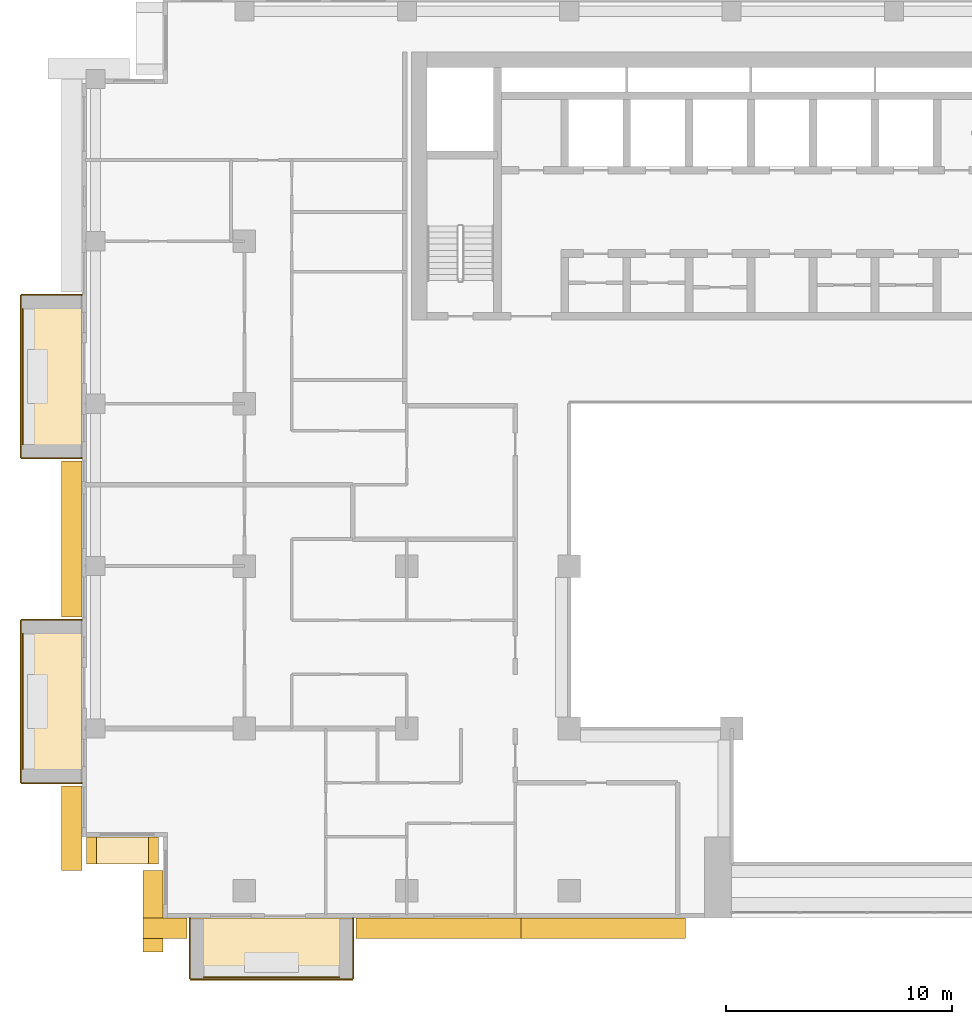
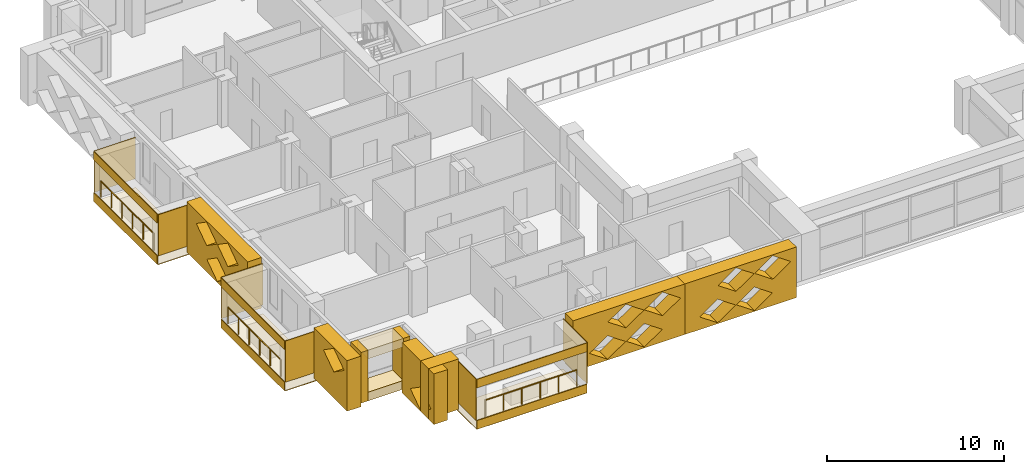
# One storey, part 14 of 20: 25 coverings, 3 railings.
"""IFC4 building model written with IfcOpenShell, lengths in metres."""

from ifc_helpers import new_model, si_unit, direction, frame, origin, origin_2d, place, context, subcontext, project, spatial, polyline, circle, outline, extrude, material, layer, layer_set, type_object, element, save


model = new_model("IFC4")

# Units and contexts
model_context = context("Model", 3, precision=1e-05, world=origin(), true_north=direction((0.0, 1.0)))
body_context = subcontext(model_context, "Body", "Model", "MODEL_VIEW")
ifc_project = project(units=[si_unit("LENGTHUNIT", "METRE"), si_unit("AREAUNIT", "SQUARE_METRE"), si_unit("VOLUMEUNIT", "CUBIC_METRE"), si_unit("PLANEANGLEUNIT", "RADIAN"), si_unit("MASSUNIT", "GRAM", prefix="KILO")], contexts=[model_context])

# Site, building, storey
site_placement = place(None, origin())
site = spatial("IfcSite", under=ifc_project, at=site_placement, CompositionType="ELEMENT")
building_placement = place(site_placement, origin())
building = spatial("IfcBuilding", under=site, at=building_placement, Name="Saffron Iwan Residences", CompositionType="ELEMENT")
storey_placement = place(building_placement, frame((0.0, 0.0, 157.0)))
storey = spatial("IfcBuildingStorey", under=building, at=storey_placement, Name="L41", CompositionType="ELEMENT", Elevation=157.0)

# Railings
ifc_material_1 = material(Name="Stainless steel 316", Category="steel")
railing_type = type_object("IfcRailingType", Name="BALCONY GUARD 1150", PredefinedType="GUARDRAIL", material=ifc_material_1)
for number, where, name in (
    (1, (11.77490234375, 66.60009765625, 0.0), "Balcony guard L41 F8-0"),
    (2, (11.77490234375, 52.199951171875, 0.0), "Balcony guard L41 F8-1"),
):
    element("IfcRailing", number, at=place(storey_placement, frame(where)), inside=storey, type_object=railing_type, Name=name, PredefinedType="GUARDRAIL", context=body_context, shape_type="SweptSolid", body=[
        extrude(circle(Radius=0.02392578125, at=origin_2d()), frame((0.0, 0.0, 1.1259765625), z_axis=(0.0, -1.0, 0.0), x_axis=(1.0, 0.0, 0.0)), (0.0, 0.0, 1.0), 6.0),
        extrude(circle(Radius=0.02099609375, at=origin_2d()), origin(), (0.0, 0.0, 1.0), 1.101806640625),
        extrude(circle(Radius=0.02099609375, at=origin_2d()), frame((0.0, -1.199951171875, 0.0)), (0.0, 0.0, 1.0), 1.101806640625),
        extrude(circle(Radius=0.02099609375, at=origin_2d()), frame((0.0, -2.39990234375, 0.0)), (0.0, 0.0, 1.0), 1.101806640625),
        extrude(circle(Radius=0.02099609375, at=origin_2d()), frame((0.0, -3.60009765625, 0.0)), (0.0, 0.0, 1.0), 1.101806640625),
        extrude(circle(Radius=0.02099609375, at=origin_2d()), frame((0.0, -4.800048828125, 0.0)), (0.0, 0.0, 1.0), 1.101806640625),
        extrude(circle(Radius=0.02099609375, at=origin_2d()), frame((0.0, -6.0, 0.0)), (0.0, 0.0, 1.0), 1.101806640625),
    ])
railing_placement = place(storey_placement, frame((19.800048828125, 36.97509765625, 0.0)))
element("IfcRailing", 3, at=railing_placement, inside=storey, type_object=railing_type, Name="Balcony guard L41 11-0", PredefinedType="GUARDRAIL", context=body_context, shape_type="SweptSolid", body=[
    extrude(circle(Radius=0.02392578125, at=origin_2d()), frame((0.0, 0.0, 1.1259765625), z_axis=(1.0, 0.0, 0.0), x_axis=(0.0, 1.0, 0.0)), (0.0, 0.0, 1.0), 6.0),
    extrude(circle(Radius=0.02099609375, at=origin_2d()), origin(), (0.0, 0.0, 1.0), 1.101806640625),
    extrude(circle(Radius=0.02099609375, at=origin_2d()), frame((1.199951171875, 0.0, 0.0)), (0.0, 0.0, 1.0), 1.101806640625),
    extrude(circle(Radius=0.02099609375, at=origin_2d()), frame((2.39990234375, 0.0, 0.0)), (0.0, 0.0, 1.0), 1.101806640625),
    extrude(circle(Radius=0.02099609375, at=origin_2d()), frame((3.60009765625, 0.0, 0.0)), (0.0, 0.0, 1.0), 1.101806640625),
    extrude(circle(Radius=0.02099609375, at=origin_2d()), frame((4.800048828125, 0.0, 0.0)), (0.0, 0.0, 1.0), 1.101806640625),
    extrude(circle(Radius=0.02099609375, at=origin_2d()), frame((6.0, 0.0, 0.0)), (0.0, 0.0, 1.0), 1.101806640625),
])

# Coverings
ifc_material_2 = material(Name="Precast concrete C40/50 white painted", Category="concrete")
ifc_layer = layer(ifc_material_2, 0.050048828125)
ifc_layer_set = layer_set([ifc_layer], Name="Precast concrete C40/50 white painted")
covering_type_1 = type_object("IfcCoveringType", Name="FRAME SKIN PRECAST WHITE 50", PredefinedType="CLADDING", material=ifc_layer_set)
for number, where, name in (
    (4, (0.0, 0.0, -0.60009765625), "Frame skin slab edge L41 F8-0"),
    (5, (0.0, 0.0, 2.25), "Frame skin fascia L41 F8-0"),
):
    element("IfcCovering", number, at=place(storey_placement, frame(where)), inside=storey, type_object=covering_type_1, Name=name, PredefinedType="CLADDING", context=body_context, shape_type="SweptSolid", body=[
        extrude(outline(polyline([(11.64990234375, 67.199951171875), (11.64990234375, 60.0), (11.699951171875, 60.0), (11.699951171875, 67.199951171875), (11.64990234375, 67.199951171875)])), origin(), (0.0, 0.0, 1.0), 0.60009765625),
    ])
covering_1_placement = place(storey_placement, frame((0.0, 0.0, -0.64990234375)))
element("IfcCovering", 6, at=covering_1_placement, inside=storey, type_object=covering_type_1, Name="Frame skin soffit L41 F8-0", PredefinedType="CLADDING", context=body_context, shape_type="SweptSolid", body=[
    extrude(outline(polyline([(11.699951171875, 67.199951171875), (11.699951171875, 60.0), (14.39990234375, 60.0), (14.39990234375, 67.199951171875), (11.699951171875, 67.199951171875)])), origin(), (0.0, 0.0, 1.0), 0.0498046875),
])
covering_2_placement = place(storey_placement, origin())
element("IfcCovering", 7, at=covering_2_placement, inside=storey, type_object=covering_type_1, Name="Frame skin fin L41 F8-0a", PredefinedType="CLADDING", context=body_context, shape_type="SweptSolid", body=[
    extrude(outline(polyline([(11.699951171875, 67.25), (11.699951171875, 67.199951171875), (14.39990234375, 67.199951171875), (14.39990234375, 67.25), (11.699951171875, 67.25)])), origin(), (0.0, 0.0, 1.0), 2.85009765625),
])
covering_3_placement = place(storey_placement, origin())
element("IfcCovering", 8, at=covering_3_placement, inside=storey, type_object=covering_type_1, Name="Frame skin fin L41 F8-0b", PredefinedType="CLADDING", context=body_context, shape_type="SweptSolid", body=[
    extrude(outline(polyline([(11.699951171875, 60.0), (11.699951171875, 59.949951171875), (14.39990234375, 59.949951171875), (14.39990234375, 60.0), (11.699951171875, 60.0)])), origin(), (0.0, 0.0, 1.0), 2.85009765625),
])
for number, where, name in (
    (9, (0.0, 0.0, -0.60009765625), "Frame skin slab edge L41 F8-1"),
    (10, (0.0, 0.0, 2.25), "Frame skin fascia L41 F8-1"),
):
    element("IfcCovering", number, at=place(storey_placement, frame(where)), inside=storey, type_object=covering_type_1, Name=name, PredefinedType="CLADDING", context=body_context, shape_type="SweptSolid", body=[
        extrude(outline(polyline([(11.64990234375, 52.800048828125), (11.64990234375, 45.60009765625), (11.699951171875, 45.60009765625), (11.699951171875, 52.800048828125), (11.64990234375, 52.800048828125)])), origin(), (0.0, 0.0, 1.0), 0.60009765625),
    ])
covering_4_placement = place(storey_placement, frame((0.0, 0.0, -0.64990234375)))
element("IfcCovering", 11, at=covering_4_placement, inside=storey, type_object=covering_type_1, Name="Frame skin soffit L41 F8-1", PredefinedType="CLADDING", context=body_context, shape_type="SweptSolid", body=[
    extrude(outline(polyline([(11.699951171875, 52.800048828125), (11.699951171875, 45.60009765625), (14.39990234375, 45.60009765625), (14.39990234375, 52.800048828125), (11.699951171875, 52.800048828125)])), origin(), (0.0, 0.0, 1.0), 0.0498046875),
])
covering_5_placement = place(storey_placement, origin())
element("IfcCovering", 12, at=covering_5_placement, inside=storey, type_object=covering_type_1, Name="Frame skin fin L41 F8-1a", PredefinedType="CLADDING", context=body_context, shape_type="SweptSolid", body=[
    extrude(outline(polyline([(11.699951171875, 52.85009765625), (11.699951171875, 52.800048828125), (14.39990234375, 52.800048828125), (14.39990234375, 52.85009765625), (11.699951171875, 52.85009765625)])), origin(), (0.0, 0.0, 1.0), 2.85009765625),
])
covering_6_placement = place(storey_placement, origin())
element("IfcCovering", 13, at=covering_6_placement, inside=storey, type_object=covering_type_1, Name="Frame skin fin L41 F8-1b", PredefinedType="CLADDING", context=body_context, shape_type="SweptSolid", body=[
    extrude(outline(polyline([(11.699951171875, 45.60009765625), (11.699951171875, 45.550048828125), (14.39990234375, 45.550048828125), (14.39990234375, 45.60009765625), (11.699951171875, 45.60009765625)])), origin(), (0.0, 0.0, 1.0), 2.85009765625),
])
for number, where, name in (
    (14, (0.0, 0.0, -0.60009765625), "Frame skin slab edge L41 11-0"),
    (15, (0.0, 0.0, 2.25), "Frame skin fascia L41 11-0"),
):
    element("IfcCovering", number, at=place(storey_placement, frame(where)), inside=storey, type_object=covering_type_1, Name=name, PredefinedType="CLADDING", context=body_context, shape_type="SweptSolid", body=[
        extrude(outline(polyline([(19.199951171875, 36.85009765625), (26.39990234375, 36.85009765625), (26.39990234375, 36.89990234375), (19.199951171875, 36.89990234375), (19.199951171875, 36.85009765625)])), origin(), (0.0, 0.0, 1.0), 0.60009765625),
    ])
covering_7_placement = place(storey_placement, frame((0.0, 0.0, -0.64990234375)))
element("IfcCovering", 16, at=covering_7_placement, inside=storey, type_object=covering_type_1, Name="Frame skin soffit L41 11-0", PredefinedType="CLADDING", context=body_context, shape_type="SweptSolid", body=[
    extrude(outline(polyline([(19.199951171875, 36.89990234375), (26.39990234375, 36.89990234375), (26.39990234375, 39.60009765625), (19.199951171875, 39.60009765625), (19.199951171875, 36.89990234375)])), origin(), (0.0, 0.0, 1.0), 0.0498046875),
])
covering_8_placement = place(storey_placement, origin())
element("IfcCovering", 17, at=covering_8_placement, inside=storey, type_object=covering_type_1, Name="Frame skin fin L41 11-0a", PredefinedType="CLADDING", context=body_context, shape_type="SweptSolid", body=[
    extrude(outline(polyline([(19.14990234375, 36.89990234375), (19.199951171875, 36.89990234375), (19.199951171875, 39.60009765625), (19.14990234375, 39.60009765625), (19.14990234375, 36.89990234375)])), origin(), (0.0, 0.0, 1.0), 2.85009765625),
])
covering_9_placement = place(storey_placement, origin())
element("IfcCovering", 18, at=covering_9_placement, inside=storey, type_object=covering_type_1, Name="Frame skin fin L41 11-0b", PredefinedType="CLADDING", context=body_context, shape_type="SweptSolid", body=[
    extrude(outline(polyline([(26.39990234375, 36.89990234375), (26.449951171875, 36.89990234375), (26.449951171875, 39.60009765625), (26.39990234375, 39.60009765625), (26.39990234375, 36.89990234375)])), origin(), (0.0, 0.0, 1.0), 2.85009765625),
])
ifc_material_3 = material(Name="Precast concrete C40/50", Category="concrete")
covering_type_2 = type_object("IfcCoveringType", Name="OUTER SKIN LATTICE SCREEN", PredefinedType="CLADDING", material=ifc_material_3)
covering_10_placement = place(storey_placement, frame((14.39990234375, 59.85009765625, -0.300048828125), z_axis=(-1.0, 0.0, 0.0), x_axis=(0.0, -1.0, 0.0)))
element("IfcCovering", 19, at=covering_10_placement, inside=storey, type_object=covering_type_2, Name="OUTER SKIN lattice screen L41 F8.1", PredefinedType="CLADDING", context=body_context, shape_type="SweptSolid", body=[
    extrude(outline(polyline([(0.0, 0.0), (6.89990234375, 0.0), (6.89990234375, 3.5), (0.0, 3.5), (0.0, 0.0)]), holes=[polyline([(2.27001953125, 0.875), (3.449951171875, 0.06005859375), (4.6298828125, 0.875), (3.449951171875, 1.68994140625), (2.27001953125, 0.875)]), polyline([(1.070068359375, 2.625), (2.25, 1.81005859375), (3.429931640625, 2.625), (2.25, 3.43994140625), (1.070068359375, 2.625)]), polyline([(3.469970703125, 2.625), (4.64990234375, 1.81005859375), (5.830078125, 2.625), (4.64990234375, 3.43994140625), (3.469970703125, 2.625)])]), origin(), (0.0, 0.0, 1.0), 0.89990234375),
])
covering_11_placement = place(storey_placement, frame((14.39990234375, 45.449951171875, -0.300048828125), z_axis=(-1.0, 0.0, 0.0), x_axis=(0.0, -1.0, 0.0)))
element("IfcCovering", 20, at=covering_11_placement, inside=storey, type_object=covering_type_2, Name="OUTER SKIN lattice screen L41 F8.2", PredefinedType="CLADDING", context=body_context, shape_type="SweptSolid", body=[
    extrude(outline(polyline([(0.0, 0.0), (3.75, 0.0), (3.75, 3.5), (0.0, 3.5), (0.0, 0.0)]), holes=[polyline([(1.070068359375, 2.625), (2.25, 1.81005859375), (3.429931640625, 2.625), (2.25, 3.43994140625), (1.070068359375, 2.625)])]), origin(), (0.0, 0.0, 1.0), 0.89990234375),
])
covering_12_placement = place(storey_placement, frame((18.0, 41.699951171875, -0.300048828125), z_axis=(-1.0, 0.0, 0.0), x_axis=(0.0, -1.0, 0.0)))
element("IfcCovering", 21, at=covering_12_placement, inside=storey, type_object=covering_type_2, Name="OUTER SKIN lattice screen L41 F10.0", PredefinedType="CLADDING", context=body_context, shape_type="SweptSolid", body=[
    extrude(outline(polyline([(0.0, 0.0), (3.60009765625, 0.0), (3.60009765625, 3.5), (0.0, 3.5), (0.0, 0.0)]), holes=[polyline([(0.919921875, 0.875), (2.10009765625, 0.06005859375), (3.280029296875, 0.875), (2.10009765625, 1.68994140625), (0.919921875, 0.875)])]), origin(), (0.0, 0.0, 1.0), 0.89990234375),
])
covering_13_placement = place(storey_placement, frame((17.10009765625, 39.60009765625, -0.300048828125), z_axis=(0.0, -1.0, 0.0), x_axis=(1.0, 0.0, 0.0)))
element("IfcCovering", 22, at=covering_13_placement, inside=storey, type_object=covering_type_2, Name="OUTER SKIN lattice screen L41 F11.0", PredefinedType="CLADDING", context=body_context, shape_type="SweptSolid", body=[
    extrude(outline(polyline([(0.0, 0.0), (1.949951171875, 0.0), (1.949951171875, 3.5), (0.0, 3.5), (0.0, 0.0)])), origin(), (0.0, 0.0, 1.0), 0.900146484375),
])
covering_14_placement = place(storey_placement, frame((26.550048828125, 39.60009765625, -0.300048828125), z_axis=(0.0, -1.0, 0.0), x_axis=(1.0, 0.0, 0.0)))
element("IfcCovering", 23, at=covering_14_placement, inside=storey, type_object=covering_type_2, Name="OUTER SKIN lattice screen L41 F11.1", PredefinedType="CLADDING", context=body_context, shape_type="SweptSolid", body=[
    extrude(outline(polyline([(0.0, 0.0), (7.300048828125, 0.0), (7.300048828125, 3.5), (0.0, 3.5), (0.0, 0.0)]), holes=[polyline([(1.070068359375, 0.875), (2.25, 0.06005859375), (3.429931640625, 0.875), (2.25, 1.68994140625), (1.070068359375, 0.875)]), polyline([(3.469970703125, 0.875), (4.64990234375, 0.06005859375), (5.830078125, 0.875), (4.64990234375, 1.68994140625), (3.469970703125, 0.875)]), polyline([(2.27001953125, 2.625), (3.449951171875, 1.81005859375), (4.6298828125, 2.625), (3.449951171875, 3.43994140625), (2.27001953125, 2.625)]), polyline([(4.669921875, 2.625), (5.85009765625, 1.81005859375), (7.030029296875, 2.625), (5.85009765625, 3.43994140625), (4.669921875, 2.625)])]), origin(), (0.0, 0.0, 1.0), 0.900146484375),
])
covering_15_placement = place(storey_placement, frame((33.85009765625, 39.60009765625, -0.300048828125), z_axis=(0.0, -1.0, 0.0), x_axis=(1.0, 0.0, 0.0)))
element("IfcCovering", 24, at=covering_15_placement, inside=storey, type_object=covering_type_2, Name="OUTER SKIN lattice screen L41 F11.2", PredefinedType="CLADDING", context=body_context, shape_type="SweptSolid", body=[
    extrude(outline(polyline([(0.0, 0.0), (7.300048828125, 0.0), (7.300048828125, 3.5), (0.0, 3.5), (0.0, 0.0)]), holes=[polyline([(0.969970703125, 0.875), (2.14990234375, 0.06005859375), (3.330078125, 0.875), (2.14990234375, 1.68994140625), (0.969970703125, 0.875)]), polyline([(3.3701171875, 0.875), (4.550048828125, 0.06005859375), (5.72998046875, 0.875), (4.550048828125, 1.68994140625), (3.3701171875, 0.875)]), polyline([(2.169921875, 2.625), (3.35009765625, 1.81005859375), (4.530029296875, 2.625), (3.35009765625, 3.43994140625), (2.169921875, 2.625)]), polyline([(4.570068359375, 2.625), (5.75, 1.81005859375), (6.929931640625, 2.625), (5.75, 3.43994140625), (4.570068359375, 2.625)])]), origin(), (0.0, 0.0, 1.0), 0.900146484375),
])
covering_type_3 = type_object("IfcCoveringType", Name="WHITE SUN FRAME PRECAST", PredefinedType="CLADDING", material=ifc_material_2)
for number, where, z_axis, x_axis, name in (
    (25, (14.60009765625, 43.199951171875, -0.300048828125), (0.0, -1.0, 0.0), (1.0, 0.0, 0.0), "Sun frame L41 F9 0.2a"),
    (26, (17.35009765625, 43.199951171875, -0.300048828125), (0.0, -1.0, 0.0), (1.0, 0.0, 0.0), "Sun frame L41 F9 0.2b"),
):
    element("IfcCovering", number, at=place(storey_placement, frame(where, z_axis=z_axis, x_axis=x_axis)), inside=storey, type_object=covering_type_3, Name=name, PredefinedType="CLADDING", context=body_context, shape_type="SweptSolid", body=[
        extrude(outline(polyline([(0.0, 0.0), (0.449951171875, 0.0), (0.449951171875, 3.5), (0.0, 3.5), (0.0, 0.0)])), origin(), (0.0, 0.0, 1.0), 1.199951171875),
    ])
for number, where, z_axis, x_axis, name in (
    (27, (15.050048828125, 43.199951171875, 2.60009765625), (0.0, -1.0, 0.0), (1.0, 0.0, 0.0), "Sun frame L41 F9 0.2h"),
    (28, (15.050048828125, 43.199951171875, -0.300048828125), (0.0, -1.0, 0.0), (1.0, 0.0, 0.0), "Sun frame L41 F9 0.2s"),
):
    element("IfcCovering", number, at=place(storey_placement, frame(where, z_axis=z_axis, x_axis=x_axis)), inside=storey, type_object=covering_type_3, Name=name, PredefinedType="CLADDING", context=body_context, shape_type="SweptSolid", body=[
        extrude(outline(polyline([(0.0, 0.0), (2.300048828125, 0.0), (2.300048828125, 0.60009765625), (0.0, 0.60009765625), (0.0, 0.0)])), origin(), (0.0, 0.0, 1.0), 1.199951171875),
    ])

save(model, "model.ifc")
